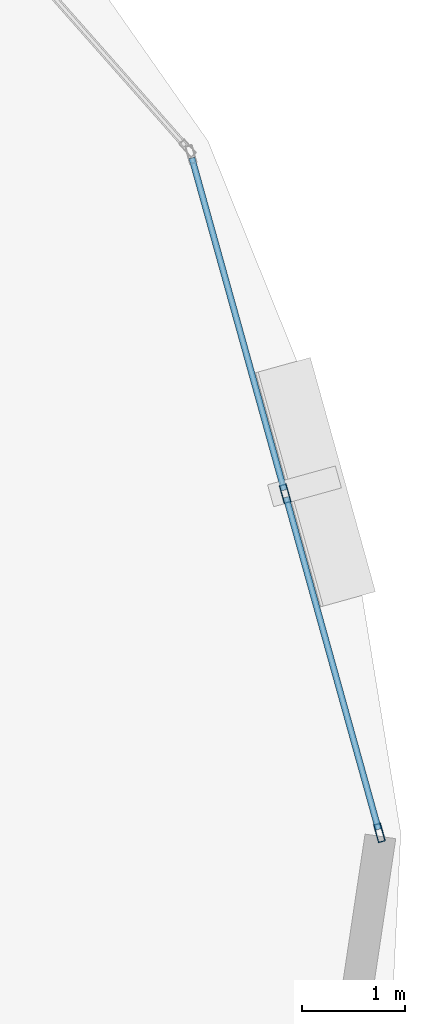
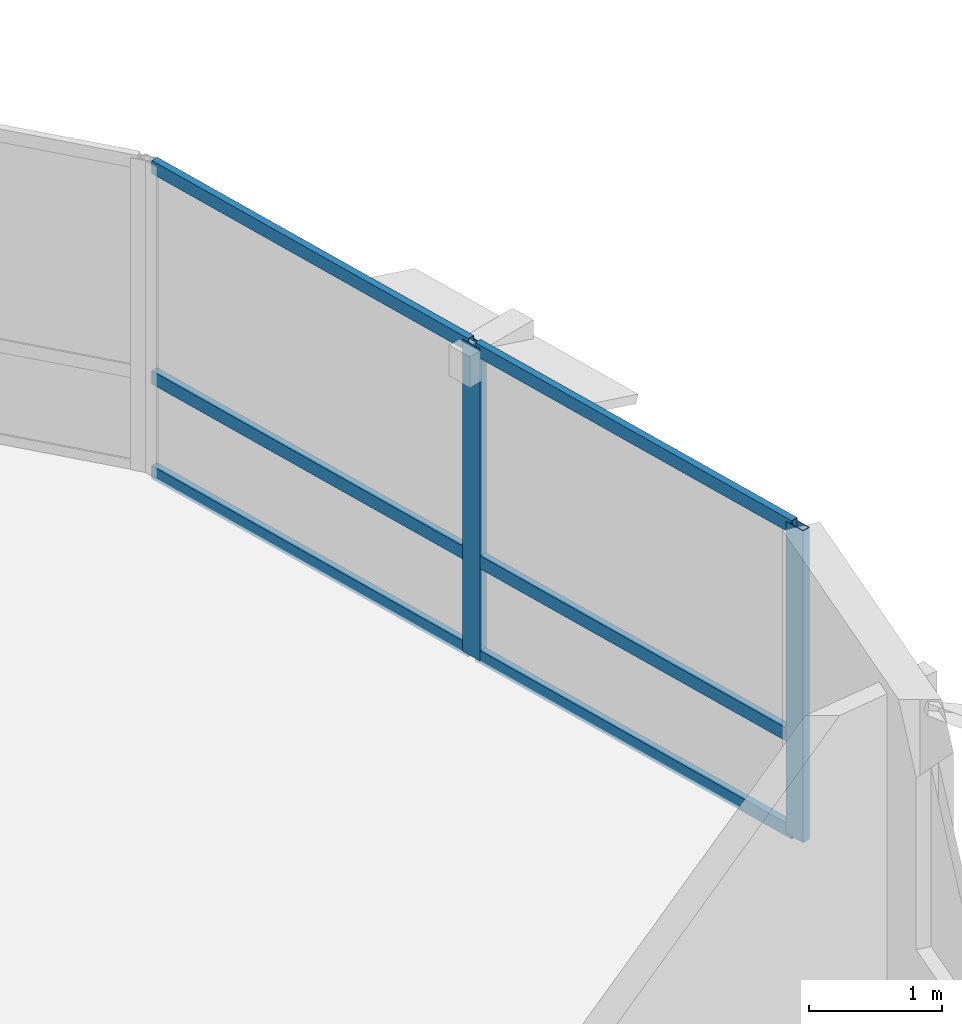
# One storey, part 4 of 12: 8 members, 1 element without a shape of its own.
"""IFC4 building model written with IfcOpenShell, lengths in metres."""

from ifc_helpers import new_model, si_unit, direction, frame, origin, origin_2d, place, context, subcontext, project, spatial, hollow_rectangle, extrude, material, layer, layer_set, material_profile, profile_set, type_object, element, aggregate, save


model = new_model("IFC4")

# Units and contexts
model_context = context("Model", 3, precision=1e-05, world=origin(), true_north=direction((0.0, 1.0)))
body_context = subcontext(model_context, "Body", "Model", "MODEL_VIEW")
ifc_project = project(units=[si_unit("LENGTHUNIT", "METRE"), si_unit("AREAUNIT", "SQUARE_METRE"), si_unit("VOLUMEUNIT", "CUBIC_METRE"), si_unit("PLANEANGLEUNIT", "RADIAN"), si_unit("MASSUNIT", "GRAM", prefix="KILO"), si_unit("THERMODYNAMICTEMPERATUREUNIT", "KELVIN"), si_unit("POWERUNIT", "WATT")], contexts=[model_context])

# Site, building, storey
site_placement = place(None, origin())
site = spatial("IfcSite", under=ifc_project, at=site_placement, CompositionType="ELEMENT")
building_placement = place(site_placement, origin())
building = spatial("IfcBuilding", under=site, at=building_placement, Name="Ocrelia Relay Tower", CompositionType="ELEMENT")
storey_placement = place(building_placement, frame((0.0, 0.0, 153.800048828125)))
storey = spatial("IfcBuildingStorey", under=building, at=storey_placement, Name="L36", CompositionType="ELEMENT", Elevation=153.800048828125)

# Curtain wall, members
ifc_material_1 = material(Name="Aluminium and solar-control low-E glass", Category="aluminium")
ifc_layer = layer(ifc_material_1, 0.179931640625, Name="Aluminium and solar-control low-E glass")
ifc_layer_set = layer_set([ifc_layer], Name="Aluminium and solar-control low-E glass")
curtain_wall_type = type_object("IfcCurtainWallType", Name="CW-SYS-Z2-SWIT", PredefinedType="NOTDEFINED", material=ifc_layer_set)
curtain_wall_placement = place(storey_placement, origin())
curtain_wall = element("IfcCurtainWall", 1, at=curtain_wall_placement, inside=storey, type_object=curtain_wall_type, Name="L36 Elliptical Tower Curtain Wall Bay 18", PredefinedType="NOTDEFINED")
ifc_material_2 = material(Name="Anodised bronze aluminium", Category="aluminium")
ifc_material_profile_1 = material_profile(ifc_material_2, hollow_rectangle(XDim=0.070068359375, YDim=0.179931640625, WallThickness=0.006103515625, at=origin_2d()), Name="CW-MUL-180x70")
ifc_profile_set_1 = profile_set([ifc_material_profile_1], Name="Anodised bronze aluminium")
member_type_1 = type_object("IfcMemberType", Name="CW-SYS-Z2-SWIT-MUL", PredefinedType="MULLION", material=ifc_profile_set_1)
member_1_placement = place(storey_placement, frame((58.330322265625, 31.62109375, 0.0), z_axis=(0.0, 0.0, 1.0), x_axis=(-0.963487288488, -0.267754075452, 0.0)))
member_1 = element("IfcMember", 2, at=member_1_placement, type_object=member_type_1, Name="CW-Z2 mullion 1", PredefinedType="MULLION", context=body_context, shape_type="SweptSolid", body=[
    extrude(hollow_rectangle(XDim=0.070068359375, YDim=0.179931640625, WallThickness=0.006103515625, at=origin_2d()), origin(), (0.0, 0.0, 1.0), 2.85986328125),
])
member_2_placement = place(storey_placement, frame((57.418701171875, 34.9013671875, 0.0), z_axis=(0.0, 0.0, 1.0), x_axis=(-0.963487288488, -0.267754075452, 0.0)))
member_2 = element("IfcMember", 3, at=member_2_placement, type_object=member_type_1, Name="CW-Z2 mullion 2", PredefinedType="MULLION", context=body_context, shape_type="SweptSolid", body=[
    extrude(hollow_rectangle(XDim=0.070068359375, YDim=0.179931640625, WallThickness=0.006103515625, at=origin_2d()), origin(), (0.0, 0.0, 1.0), 2.85986328125),
])
ifc_material_profile_2 = material_profile(ifc_material_2, hollow_rectangle(XDim=0.06005859375, YDim=0.1201171875, WallThickness=0.0048828125, at=origin_2d()), Name="CW-TRN-120x60")
ifc_profile_set_2 = profile_set([ifc_material_profile_2], Name="Anodised bronze aluminium")
member_type_2 = type_object("IfcMemberType", Name="CW-SYS-Z2-SWIT-TRN", PredefinedType="USERDEFINED", material=ifc_profile_set_2)
member_3_placement = place(storey_placement, frame((58.32080078125, 31.65478515625, 0.030029296875), z_axis=(-0.267742039911, 0.963490633096, 0.0), x_axis=(-0.963490633096, -0.267742039911, 0.0)))
member_3 = element("IfcMember", 4, at=member_3_placement, type_object=member_type_2, Name="CW-Z2 transom 1.1", ObjectType="TRANSOM", PredefinedType="USERDEFINED", context=body_context, shape_type="SweptSolid", body=[
    extrude(hollow_rectangle(XDim=0.06005859375, YDim=0.1201171875, WallThickness=0.0048828125, at=origin_2d()), origin(), (0.0, 0.0, 1.0), 3.334716796875),
])
member_4_placement = place(storey_placement, frame((58.32080078125, 31.65478515625, 0.89990234375), z_axis=(-0.267742039911, 0.963490633096, 0.0), x_axis=(-0.963490633096, -0.267742039911, 0.0)))
member_4 = element("IfcMember", 5, at=member_4_placement, type_object=member_type_2, Name="CW-Z2 transom 1.2", ObjectType="TRANSOM", PredefinedType="USERDEFINED", context=body_context, shape_type="SweptSolid", body=[
    extrude(hollow_rectangle(XDim=0.06005859375, YDim=0.1201171875, WallThickness=0.0048828125, at=origin_2d()), origin(), (0.0, 0.0, 1.0), 3.334716796875),
])
member_5_placement = place(storey_placement, frame((58.32080078125, 31.65478515625, 2.829833984375), z_axis=(-0.267742039911, 0.963490633096, 0.0), x_axis=(-0.963490633096, -0.267742039911, 0.0)))
member_5 = element("IfcMember", 6, at=member_5_placement, type_object=member_type_2, Name="CW-Z2 transom 1.3", ObjectType="TRANSOM", PredefinedType="USERDEFINED", context=body_context, shape_type="SweptSolid", body=[
    extrude(hollow_rectangle(XDim=0.06005859375, YDim=0.1201171875, WallThickness=0.0048828125, at=origin_2d()), origin(), (0.0, 0.0, 1.0), 3.334716796875),
])
member_6_placement = place(storey_placement, frame((57.4091796875, 34.93505859375, 0.030029296875), z_axis=(-0.267742039911, 0.963490633096, 0.0), x_axis=(-0.963490633096, -0.267742039911, 0.0)))
member_6 = element("IfcMember", 7, at=member_6_placement, type_object=member_type_2, Name="CW-Z2 transom 2.1", ObjectType="TRANSOM", PredefinedType="USERDEFINED", context=body_context, shape_type="SweptSolid", body=[
    extrude(hollow_rectangle(XDim=0.06005859375, YDim=0.1201171875, WallThickness=0.0048828125, at=origin_2d()), origin(), (0.0, 0.0, 1.0), 3.334716796875),
])
member_7_placement = place(storey_placement, frame((57.4091796875, 34.93505859375, 0.89990234375), z_axis=(-0.267742039911, 0.963490633096, 0.0), x_axis=(-0.963490633096, -0.267742039911, 0.0)))
member_7 = element("IfcMember", 8, at=member_7_placement, type_object=member_type_2, Name="CW-Z2 transom 2.2", ObjectType="TRANSOM", PredefinedType="USERDEFINED", context=body_context, shape_type="SweptSolid", body=[
    extrude(hollow_rectangle(XDim=0.06005859375, YDim=0.1201171875, WallThickness=0.0048828125, at=origin_2d()), origin(), (0.0, 0.0, 1.0), 3.334716796875),
])
member_8_placement = place(storey_placement, frame((57.4091796875, 34.93505859375, 2.829833984375), z_axis=(-0.267742039911, 0.963490633096, 0.0), x_axis=(-0.963490633096, -0.267742039911, 0.0)))
member_8 = element("IfcMember", 9, at=member_8_placement, type_object=member_type_2, Name="CW-Z2 transom 2.3", ObjectType="TRANSOM", PredefinedType="USERDEFINED", context=body_context, shape_type="SweptSolid", body=[
    extrude(hollow_rectangle(XDim=0.06005859375, YDim=0.1201171875, WallThickness=0.0048828125, at=origin_2d()), origin(), (0.0, 0.0, 1.0), 3.334716796875),
])
aggregate(curtain_wall, [member_1, member_2, member_3, member_4, member_5, member_6, member_7, member_8])

save(model, "model.ifc")
